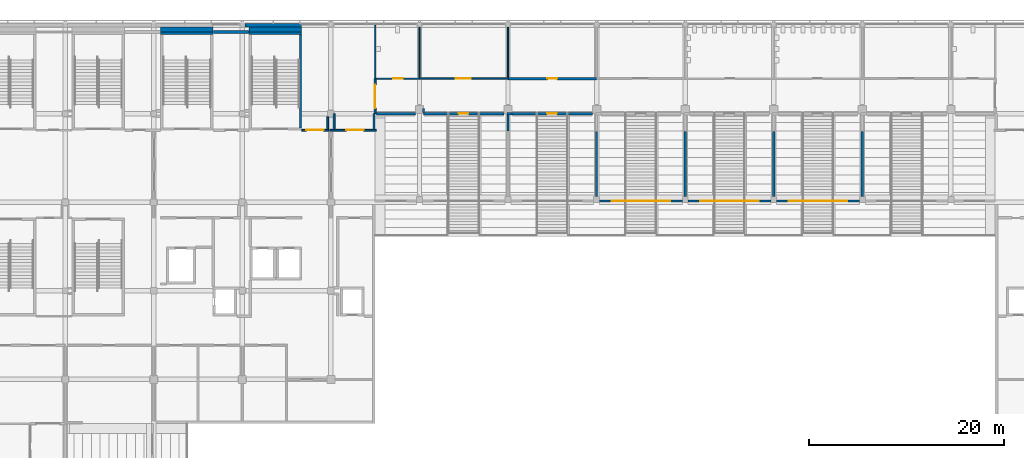
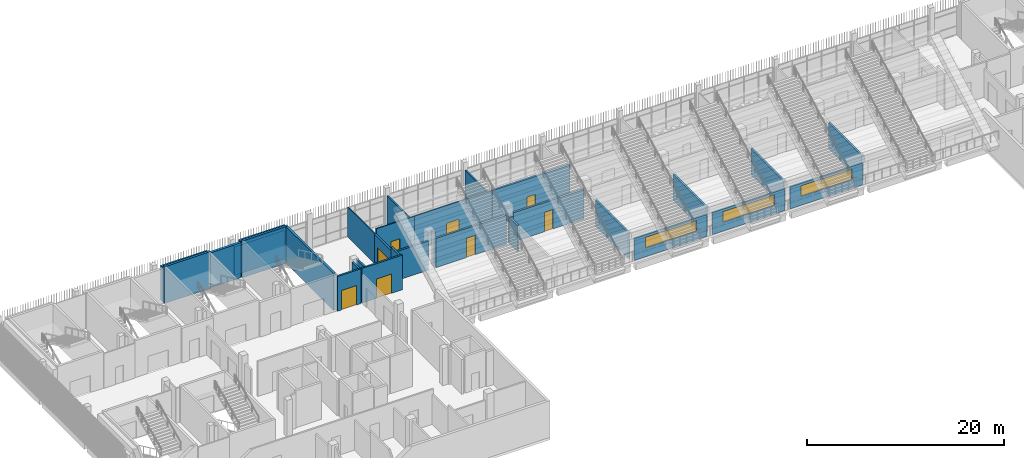
# One storey, part 85 of 139: 32 walls, 8 doors, 3 windows, 11 openings.
"""IFC4 building model written with IfcOpenShell, lengths in metres."""

from ifc_helpers import new_model, si_unit, direction, frame, frame_2d, origin, place, context, subcontext, project, spatial, rectangle, extrude, material, layer, layer_set, type_object, element, fill, save


model = new_model("IFC4")

# Units and contexts
model_context = context("Model", 3, precision=1e-05, world=origin(), true_north=direction((0.0, 1.0)))
body_context = subcontext(model_context, "Body", "Model", "MODEL_VIEW")
ifc_project = project(units=[si_unit("LENGTHUNIT", "METRE"), si_unit("AREAUNIT", "SQUARE_METRE"), si_unit("VOLUMEUNIT", "CUBIC_METRE"), si_unit("PLANEANGLEUNIT", "RADIAN"), si_unit("MASSUNIT", "GRAM", prefix="KILO")], contexts=[model_context])

# Site, building, storey
site_placement = place(None, origin())
site = spatial("IfcSite", under=ifc_project, at=site_placement, CompositionType="ELEMENT")
building_placement = place(site_placement, origin())
building = spatial("IfcBuilding", under=site, at=building_placement, Name="Shirokan Park Arena", CompositionType="ELEMENT")
storey_placement = place(building_placement, frame((0.0, 0.0, 15.469970703125)))
storey = spatial("IfcBuildingStorey", under=building, at=storey_placement, Name="L03", CompositionType="ELEMENT", Elevation=15.469970703125)

# Wall, opening, window
ifc_material_1 = material(Name="Cedar timber lining", Category="wood")
ifc_layer_1 = layer(ifc_material_1, 0.02001953125, Name="Cedar timber lining")
ifc_material_2 = material(Name="Plywood", Category="wood")
ifc_layer_2 = layer(ifc_material_2, 0.01806640625, Name="Plywood")
ifc_material_3 = material(Name="Mineral wool insulation")
ifc_layer_3 = layer(ifc_material_3, 0.14208984375, Name="Mineral wool insulation")
ifc_material_4 = material(Name="Gypsum board")
ifc_layer_4 = layer(ifc_material_4, 0.02001953125, Name="Gypsum board")
ifc_layer_set_1 = layer_set([ifc_layer_1, ifc_layer_2, ifc_layer_3, ifc_layer_4], Name="Cedar timber lining + Plywood + Mineral wool insulation + Gypsum board")
wall_type_1 = type_object("IfcWallType", Name="Bowl front wall 200", PredefinedType="PARTITIONING", material=ifc_layer_set_1)
wall_1_placement = place(storey_placement, frame((72.5, 91.1298828125, 0.0), z_axis=(0.0, 0.0, 1.0), x_axis=(-1.0, 0.0, 0.0)))
wall_1 = element("IfcWall", 1, at=wall_1_placement, inside=storey, type_object=wall_type_1, Name="Bowl front wall 200 L03", PredefinedType="PARTITIONING", context=body_context, shape_type="SweptSolid", body=[
    extrude(rectangle(XDim=8.5, YDim=0.199951171875, at=frame_2d((4.25, 0.0))), origin(), (0.0, 0.0, 1.0), 2.7099609375),
])
opening_1_placement = place(wall_1_placement, frame((1.25, 0.0, 1.10009765625)))
opening_1 = element("IfcOpeningElement", 2, at=opening_1_placement, cuts=wall_1, Name="Opening W8", PredefinedType="OPENING", context=body_context, shape_type="SweptSolid", body=[
    extrude(rectangle(XDim=6.0, YDim=1.300048828125, at=frame_2d((3.0, 0.64990234375))), frame((0.0, 0.10986328125, 0.0), z_axis=(0.0, -1.0, 0.0), x_axis=(1.0, 0.0, 0.0)), (0.0, 0.0, 1.0), 0.219970703125),
])
ifc_material_5 = material(Name="Aluminium frame with laminated glass", Category="aluminium")
window_type = type_object("IfcWindowType", Name="Suite viewing window 6000 x 1300", PartitioningType="SINGLE_PANEL", PredefinedType="WINDOW", material=ifc_material_5)
window_1_placement = place(opening_1_placement, origin())
window_1 = element("IfcWindow", 3, at=window_1_placement, inside=storey, type_object=window_type, Name="Suite viewing window 6000 x 1300 L03", OverallHeight=1.300048828125, OverallWidth=6.0, PartitioningType="SINGLE_PANEL", PredefinedType="WINDOW", context=body_context, shape_type="SweptSolid", body=[
    extrude(rectangle(XDim=6.0, YDim=1.300048828125, at=frame_2d((3.0, 0.64990234375))), frame((0.0, 0.030029296875, 0.0), z_axis=(0.0, -1.0, 0.0), x_axis=(1.0, 0.0, 0.0)), (0.0, 0.0, 1.0), 0.06005859375),
])
fill(opening_1, window_1)

wall_2_placement = place(storey_placement, frame((81.60009765625, 91.1298828125, 0.0), z_axis=(0.0, 0.0, 1.0), x_axis=(-1.0, 0.0, 0.0)))
wall_2 = element("IfcWall", 4, at=wall_2_placement, inside=storey, type_object=wall_type_1, Name="Bowl front wall 200 L03", PredefinedType="PARTITIONING", context=body_context, shape_type="SweptSolid", body=[
    extrude(rectangle(XDim=8.5, YDim=0.199951171875, at=frame_2d((4.25, 0.0))), origin(), (0.0, 0.0, 1.0), 2.7099609375),
])
opening_2_placement = place(wall_2_placement, frame((1.25, 0.0, 1.10009765625)))
opening_2 = element("IfcOpeningElement", 5, at=opening_2_placement, cuts=wall_2, Name="Opening W8", PredefinedType="OPENING", context=body_context, shape_type="SweptSolid", body=[
    extrude(rectangle(XDim=6.0, YDim=1.300048828125, at=frame_2d((3.0, 0.64990234375))), frame((0.0, 0.10986328125, 0.0), z_axis=(0.0, -1.0, 0.0), x_axis=(1.0, 0.0, 0.0)), (0.0, 0.0, 1.0), 0.219970703125),
])
window_2_placement = place(opening_2_placement, origin())
window_2 = element("IfcWindow", 6, at=window_2_placement, inside=storey, type_object=window_type, Name="Suite viewing window 6000 x 1300 L03", OverallHeight=1.300048828125, OverallWidth=6.0, PartitioningType="SINGLE_PANEL", PredefinedType="WINDOW", context=body_context, shape_type="SweptSolid", body=[
    extrude(rectangle(XDim=6.0, YDim=1.300048828125, at=frame_2d((3.0, 0.64990234375))), frame((0.0, 0.030029296875, 0.0), z_axis=(0.0, -1.0, 0.0), x_axis=(1.0, 0.0, 0.0)), (0.0, 0.0, 1.0), 0.06005859375),
])
fill(opening_2, window_2)

wall_3_placement = place(storey_placement, frame((90.699951171875, 91.1298828125, 0.0), z_axis=(0.0, 0.0, 1.0), x_axis=(-1.0, 0.0, 0.0)))
wall_3 = element("IfcWall", 7, at=wall_3_placement, inside=storey, type_object=wall_type_1, Name="Bowl front wall 200 L03", PredefinedType="PARTITIONING", context=body_context, shape_type="SweptSolid", body=[
    extrude(rectangle(XDim=8.5, YDim=0.199951171875, at=frame_2d((4.25, 0.0))), origin(), (0.0, 0.0, 1.0), 2.7099609375),
])
opening_3_placement = place(wall_3_placement, frame((1.25, 0.0, 1.10009765625)))
opening_3 = element("IfcOpeningElement", 8, at=opening_3_placement, cuts=wall_3, Name="Opening W8", PredefinedType="OPENING", context=body_context, shape_type="SweptSolid", body=[
    extrude(rectangle(XDim=6.0, YDim=1.300048828125, at=frame_2d((3.0, 0.64990234375))), frame((0.0, 0.10986328125, 0.0), z_axis=(0.0, -1.0, 0.0), x_axis=(1.0, 0.0, 0.0)), (0.0, 0.0, 1.0), 0.219970703125),
])
window_3_placement = place(opening_3_placement, origin())
window_3 = element("IfcWindow", 9, at=window_3_placement, inside=storey, type_object=window_type, Name="Suite viewing window 6000 x 1300 L03", OverallHeight=1.300048828125, OverallWidth=6.0, PartitioningType="SINGLE_PANEL", PredefinedType="WINDOW", context=body_context, shape_type="SweptSolid", body=[
    extrude(rectangle(XDim=6.0, YDim=1.300048828125, at=frame_2d((3.0, 0.64990234375))), frame((0.0, 0.030029296875, 0.0), z_axis=(0.0, -1.0, 0.0), x_axis=(1.0, 0.0, 0.0)), (0.0, 0.0, 1.0), 0.06005859375),
])
fill(opening_3, window_3)

# Wall, opening, door
ifc_material_6 = material(Name="Plaster")
ifc_layer_5 = layer(ifc_material_6, 0.014892578125, Name="Plaster")
ifc_material_7 = material(Name="Concrete blockwork", Category="masonry")
ifc_layer_6 = layer(ifc_material_7, 0.219970703125, Name="Concrete blockwork 220")
ifc_layer_7 = layer(ifc_material_6, 0.014892578125, Name="Plaster")
ifc_layer_set_2 = layer_set([ifc_layer_5, ifc_layer_6, ifc_layer_7], Name="Plaster + Concrete blockwork 220")
wall_type_2 = type_object("IfcWallType", Name="Compartment wall 250", PredefinedType="SOLIDWALL", material=ifc_layer_set_2)
wall_4_placement = place(storey_placement, frame((54.60009765625, 103.699951171875, 0.0), z_axis=(0.0, 0.0, 1.0), x_axis=(1.0, 0.0, 0.0)))
wall_4 = element("IfcWall", 10, at=wall_4_placement, inside=storey, type_object=wall_type_2, Name="Compartment wall 250 L03", PredefinedType="SOLIDWALL", context=body_context, shape_type="SweptSolid", body=[
    extrude(rectangle(XDim=9.099853515625, YDim=0.25, at=frame_2d((4.5498046875, 0.0))), origin(), (0.0, 0.0, 1.0), 4.300048828125),
])
opening_4_placement = place(wall_4_placement, frame((4.050048828125, 0.0, 0.0)))
opening_4 = element("IfcOpeningElement", 11, at=opening_4_placement, cuts=wall_4, Name="Opening D-3049", PredefinedType="OPENING", context=body_context, shape_type="SweptSolid", body=[
    extrude(rectangle(XDim=1.0, YDim=2.10009765625, at=frame_2d((0.5, 1.050048828125))), frame((0.0, 0.135009765625, 0.0), z_axis=(0.0, -1.0, 0.0), x_axis=(1.0, 0.0, 0.0)), (0.0, 0.0, 1.0), 0.27001953125),
])
ifc_material_8 = material(Name="Timber door set, fire resisting", Category="wood")
door_type_1 = type_object("IfcDoorType", Name="Door 1000 x 2100", OperationType="SINGLE_SWING_LEFT", PredefinedType="DOOR", material=ifc_material_8)
door_1_placement = place(opening_4_placement, origin())
door_1 = element("IfcDoor", 12, at=door_1_placement, inside=storey, type_object=door_type_1, Name="Door to Hospitality Store 3.33 D-3049", OperationType="SINGLE_SWING_RIGHT", OverallHeight=2.10009765625, OverallWidth=1.0, PredefinedType="DOOR", context=body_context, shape_type="SweptSolid", body=[
    extrude(rectangle(XDim=1.0, YDim=2.10009765625, at=frame_2d((0.5, 1.050048828125))), frame((0.0, 0.02490234375, 0.0), z_axis=(0.0, -1.0, 0.0), x_axis=(1.0, 0.0, 0.0)), (0.0, 0.0, 1.0), 0.050048828125),
])
fill(opening_4, door_1)

ifc_layer_8 = layer(ifc_material_4, 0.02490234375, Name="Gypsum board, two layers")
ifc_layer_9 = layer(ifc_material_3, 0.14990234375, Name="Mineral wool insulation")
ifc_layer_10 = layer(ifc_material_4, 0.02490234375, Name="Gypsum board, two layers")
ifc_layer_set_3 = layer_set([ifc_layer_8, ifc_layer_9, ifc_layer_10], Name="Gypsum board, two layers + Mineral wool insulation")
wall_type_3 = type_object("IfcWallType", Name="Corridor wall 200", PredefinedType="PARTITIONING", material=ifc_layer_set_3)
wall_5_placement = place(storey_placement, frame((33.429931640625, 98.39990234375, 0.0), z_axis=(0.0, 0.0, 1.0), x_axis=(1.0, 0.0, 0.0)))
wall_5 = element("IfcWall", 13, at=wall_5_placement, inside=storey, type_object=wall_type_3, Name="Corridor wall 200 L03", PredefinedType="PARTITIONING", context=body_context, shape_type="SweptSolid", body=[
    extrude(rectangle(XDim=2.7451171875, YDim=0.199951171875, at=frame_2d((1.37255859375, 0.0))), origin(), (0.0, 0.0, 1.0), 4.300048828125),
])
opening_5_placement = place(wall_5_placement, frame((0.449951171875, 0.0, 0.0)))
opening_5 = element("IfcOpeningElement", 14, at=opening_5_placement, cuts=wall_5, Name="Opening D-3134", PredefinedType="OPENING", context=body_context, shape_type="SweptSolid", body=[
    extrude(rectangle(XDim=1.800048828125, YDim=2.39990234375, at=frame_2d((0.89990234375, 1.199951171875))), frame((0.0, 0.10986328125, 0.0), z_axis=(0.0, -1.0, 0.0), x_axis=(1.0, 0.0, 0.0)), (0.0, 0.0, 1.0), 0.219970703125),
])
ifc_material_9 = material(Name="Glazed steel door set, fire resisting", Category="steel")
door_type_2 = type_object("IfcDoorType", Name="Lift lobby door 1800 x 2400", OperationType="DOUBLE_DOOR_SINGLE_SWING", PredefinedType="DOOR", material=ifc_material_9)
door_2_placement = place(opening_5_placement, origin())
door_2 = element("IfcDoor", 15, at=door_2_placement, inside=storey, type_object=door_type_2, Name="Door between Stair Lobby 4.3.2 and Ring Link 4.3 D-3134", OperationType="DOUBLE_DOOR_SINGLE_SWING", OverallHeight=2.39990234375, OverallWidth=1.800048828125, PredefinedType="DOOR", context=body_context, shape_type="SweptSolid", body=[
    extrude(rectangle(XDim=1.800048828125, YDim=2.39990234375, at=frame_2d((0.89990234375, 1.199951171875))), frame((0.0, 0.02490234375, 0.0), z_axis=(0.0, -1.0, 0.0), x_axis=(1.0, 0.0, 0.0)), (0.0, 0.0, 1.0), 0.050048828125),
])
fill(opening_5, door_2)

# Wall
wall_6_placement = place(storey_placement, frame((36.074951171875, 98.5, 0.0), z_axis=(0.0, 0.0, 1.0), x_axis=(0.0, 1.0, 0.0)))
element("IfcWall", 16, at=wall_6_placement, inside=storey, type_object=wall_type_3, Name="Corridor wall 200 L03", PredefinedType="PARTITIONING", context=body_context, shape_type="SweptSolid", body=[
    extrude(rectangle(XDim=1.27490234375, YDim=0.199951171875, at=frame_2d((0.637451171875, 0.0))), origin(), (0.0, 0.0, 1.0), 4.300048828125),
])

# Wall, opening, door
wall_7_placement = place(storey_placement, frame((36.300048828125, 98.39990234375, 0.0), z_axis=(0.0, 0.0, 1.0), x_axis=(1.0, 0.0, 0.0)))
wall_7 = element("IfcWall", 17, at=wall_7_placement, inside=storey, type_object=wall_type_3, Name="Corridor wall 200 L03", PredefinedType="PARTITIONING", context=body_context, shape_type="SweptSolid", body=[
    extrude(rectangle(XDim=4.762451171875, YDim=0.199951171875, at=frame_2d((2.38134765625, 0.0))), origin(), (0.0, 0.0, 1.0), 4.300048828125),
])
opening_6_placement = place(wall_7_placement, frame((1.675048828125, 0.0, 0.0)))
opening_6 = element("IfcOpeningElement", 18, at=opening_6_placement, cuts=wall_7, Name="Opening D-3135", PredefinedType="OPENING", context=body_context, shape_type="SweptSolid", body=[
    extrude(rectangle(XDim=1.800048828125, YDim=2.39990234375, at=frame_2d((0.89990234375, 1.199951171875))), frame((0.0, 0.10986328125, 0.0), z_axis=(0.0, -1.0, 0.0), x_axis=(1.0, 0.0, 0.0)), (0.0, 0.0, 1.0), 0.219970703125),
])
door_3_placement = place(opening_6_placement, origin())
door_3 = element("IfcDoor", 19, at=door_3_placement, inside=storey, type_object=door_type_2, Name="Door between Hospitality Foyer 4.3.3 and Ring Link 4.3 D-3135", OperationType="DOUBLE_DOOR_SINGLE_SWING", OverallHeight=2.39990234375, OverallWidth=1.800048828125, PredefinedType="DOOR", context=body_context, shape_type="SweptSolid", body=[
    extrude(rectangle(XDim=1.800048828125, YDim=2.39990234375, at=frame_2d((0.89990234375, 1.199951171875))), frame((0.0, 0.02490234375, 0.0), z_axis=(0.0, -1.0, 0.0), x_axis=(1.0, 0.0, 0.0)), (0.0, 0.0, 1.0), 0.050048828125),
])
fill(opening_6, door_3)

# Wall
wall_8_placement = place(storey_placement, frame((36.72509765625, 98.5, 0.0), z_axis=(0.0, 0.0, 1.0), x_axis=(0.0, 1.0, 0.0)))
element("IfcWall", 20, at=wall_8_placement, inside=storey, type_object=wall_type_3, Name="Corridor wall 200 L03", PredefinedType="PARTITIONING", context=body_context, shape_type="SweptSolid", body=[
    extrude(rectangle(XDim=1.60009765625, YDim=0.199951171875, at=frame_2d((0.800048828125, 0.0))), origin(), (0.0, 0.0, 1.0), 4.300048828125),
])

# Wall, opening, door
wall_9_placement = place(storey_placement, frame((40.949951171875, 103.699951171875, 0.0), z_axis=(0.0, 0.0, 1.0), x_axis=(0.0, -1.0, 0.0)))
wall_9 = element("IfcWall", 21, at=wall_9_placement, inside=storey, type_object=wall_type_3, Name="Corridor wall 200 L03", PredefinedType="PARTITIONING", context=body_context, shape_type="SweptSolid", body=[
    extrude(rectangle(XDim=3.599853515625, YDim=0.199951171875, at=frame_2d((1.7998046875, 0.0))), origin(), (0.0, 0.0, 1.0), 3.699951171875),
])
opening_7_placement = place(wall_9_placement, frame((0.64990234375, 0.0, 0.0)))
opening_7 = element("IfcOpeningElement", 22, at=opening_7_placement, cuts=wall_9, Name="Opening D-3137", PredefinedType="OPENING", context=body_context, shape_type="SweptSolid", body=[
    extrude(rectangle(XDim=2.39990234375, YDim=2.39990234375, at=frame_2d((1.199951171875, 1.199951171875))), frame((0.0, 0.10986328125, 0.0), z_axis=(0.0, -1.0, 0.0), x_axis=(1.0, 0.0, 0.0)), (0.0, 0.0, 1.0), 0.219970703125),
])
ifc_material_10 = material(Name="Steel door set, fire resisting", Category="steel")
door_type_3 = type_object("IfcDoorType", Name="Double door 2400 x 2400", OperationType="DOUBLE_DOOR_SINGLE_SWING", PredefinedType="DOOR", material=ifc_material_10)
door_4_placement = place(opening_7_placement, origin())
door_4 = element("IfcDoor", 23, at=door_4_placement, inside=storey, type_object=door_type_3, Name="Door between Ring Link 4.3 and Suite Corridor 3.03 D-3137", OperationType="DOUBLE_DOOR_SINGLE_SWING", OverallHeight=2.39990234375, OverallWidth=2.39990234375, PredefinedType="DOOR", context=body_context, shape_type="SweptSolid", body=[
    extrude(rectangle(XDim=2.39990234375, YDim=2.39990234375, at=frame_2d((1.199951171875, 1.199951171875))), frame((0.0, 0.02490234375, 0.0), z_axis=(0.0, -1.0, 0.0), x_axis=(1.0, 0.0, 0.0)), (0.0, 0.0, 1.0), 0.050048828125),
])
fill(opening_7, door_4)

# Wall
ifc_material_11 = material(Name="Cedar cladding")
ifc_layer_11 = layer(ifc_material_11, 0.030029296875, Name="Cedar cladding")
ifc_layer_12 = layer(ifc_material_3, 0.10009765625, Name="Mineral wool insulation")
ifc_material_12 = material(Name="Concrete C35", Category="concrete")
ifc_layer_13 = layer(ifc_material_12, 0.199951171875, Name="Concrete C35")
ifc_material_13 = material(Name="Gypsum board lining")
ifc_layer_14 = layer(ifc_material_13, 0.02001953125, Name="Gypsum board lining")
ifc_layer_set_4 = layer_set([ifc_layer_11, ifc_layer_12, ifc_layer_13, ifc_layer_14], Name="Cedar cladding + Mineral wool insulation + Concrete C35 + Gypsum board lining")
wall_type_4 = type_object("IfcWallType", Name="Insulated tower wall 350", PredefinedType="SOLIDWALL", material=ifc_layer_set_4)
wall_10_placement = place(storey_placement, frame((33.39990234375, 109.175048828125, 0.0), z_axis=(0.0, 0.0, 1.0), x_axis=(-1.0, 0.0, 0.0)))
element("IfcWall", 24, at=wall_10_placement, inside=storey, type_object=wall_type_4, Name="North facade wall bay 13 L03", PredefinedType="SOLIDWALL", context=body_context, shape_type="SweptSolid", body=[
    extrude(rectangle(XDim=5.849853515625, YDim=0.35009765625, at=frame_2d((2.9248046875, 0.0))), origin(), (0.0, 0.0, 1.0), 3.550048828125),
])

# Wall, opening, door
ifc_material_14 = material(Name="Ceramic tile")
ifc_layer_15 = layer(ifc_material_14, 0.010009765625, Name="Ceramic tile")
ifc_material_15 = material(Name="Render")
ifc_layer_16 = layer(ifc_material_15, 0.010009765625, Name="Render")
ifc_layer_17 = layer(ifc_material_7, 0.10009765625, Name="Concrete blockwork 100")
ifc_layer_18 = layer(ifc_material_15, 0.010009765625, Name="Render")
ifc_layer_19 = layer(ifc_material_14, 0.010009765625, Name="Ceramic tile")
ifc_layer_set_5 = layer_set([ifc_layer_15, ifc_layer_16, ifc_layer_17, ifc_layer_18, ifc_layer_19], Name="Ceramic tile + Render + Concrete blockwork 100")
wall_type_5 = type_object("IfcWallType", Name="Kitchen wall 140", PredefinedType="SOLIDWALL", material=ifc_layer_set_5)
wall_11_placement = place(storey_placement, frame((45.5, 103.699951171875, 0.0), z_axis=(0.0, 0.0, 1.0), x_axis=(1.0, 0.0, 0.0)))
wall_11 = element("IfcWall", 25, at=wall_11_placement, inside=storey, type_object=wall_type_5, Name="Kitchen wall 140 L03", PredefinedType="SOLIDWALL", context=body_context, shape_type="SweptSolid", body=[
    extrude(rectangle(XDim=9.10009765625, YDim=0.139892578125, at=frame_2d((4.550048828125, 0.0))), origin(), (0.0, 0.0, 1.0), 4.300048828125),
])
opening_8_placement = place(wall_11_placement, frame((3.75, 0.0, 0.0)))
opening_8 = element("IfcOpeningElement", 26, at=opening_8_placement, cuts=wall_11, Name="Opening D-3048", PredefinedType="OPENING", context=body_context, shape_type="SweptSolid", body=[
    extrude(rectangle(XDim=1.5, YDim=2.10009765625, at=frame_2d((0.75, 1.050048828125))), frame((0.0, 0.079833984375, 0.0), z_axis=(0.0, -1.0, 0.0), x_axis=(1.0, 0.0, 0.0)), (0.0, 0.0, 1.0), 0.159912109375),
])
ifc_material_16 = material(Name="Stainless steel door set, fire resisting", Category="steel")
door_type_4 = type_object("IfcDoorType", Name="Kitchen door 1500 x 2100", OperationType="DOUBLE_DOOR_SINGLE_SWING", PredefinedType="DOOR", material=ifc_material_16)
door_5_placement = place(opening_8_placement, origin())
door_5 = element("IfcDoor", 27, at=door_5_placement, inside=storey, type_object=door_type_4, Name="Door to Suite Pantry 3.32 D-3048", OperationType="DOUBLE_DOOR_SINGLE_SWING", OverallHeight=2.10009765625, OverallWidth=1.5, PredefinedType="DOOR", context=body_context, shape_type="SweptSolid", body=[
    extrude(rectangle(XDim=1.5, YDim=2.10009765625, at=frame_2d((0.75, 1.050048828125))), frame((0.0, 0.02490234375, 0.0), z_axis=(0.0, -1.0, 0.0), x_axis=(1.0, 0.0, 0.0)), (0.0, 0.0, 1.0), 0.050048828125),
])
fill(opening_8, door_5)

# Walls
wall_12_placement = place(storey_placement, frame((45.5, 109.02490234375, 0.0), z_axis=(0.0, 0.0, 1.0), x_axis=(0.0, -1.0, 0.0)))
element("IfcWall", 28, at=wall_12_placement, inside=storey, type_object=wall_type_5, Name="Kitchen wall 140 L03", PredefinedType="SOLIDWALL", context=body_context, shape_type="SweptSolid", body=[
    extrude(rectangle(XDim=5.2548828125, YDim=0.139892578125, at=frame_2d((2.62744140625, 0.0))), origin(), (0.0, 0.0, 1.0), 3.60009765625),
])
wall_13_placement = place(storey_placement, frame((54.60009765625, 109.0, 0.0), z_axis=(0.0, 0.0, 1.0), x_axis=(0.0, -1.0, 0.0)))
element("IfcWall", 29, at=wall_13_placement, inside=storey, type_object=wall_type_5, Name="Kitchen wall 140 L03", PredefinedType="SOLIDWALL", context=body_context, shape_type="SweptSolid", body=[
    extrude(rectangle(XDim=5.175048828125, YDim=0.139892578125, at=frame_2d((2.58740234375, 0.0))), origin(), (0.0, 0.0, 1.0), 3.60009765625),
])
ifc_layer_20 = layer(ifc_material_6, 0.012451171875, Name="Plaster")
ifc_layer_21 = layer(ifc_material_7, 0.25, Name="Concrete blockwork 250")
ifc_layer_22 = layer(ifc_material_6, 0.012451171875, Name="Plaster")
ifc_layer_set_6 = layer_set([ifc_layer_20, ifc_layer_21, ifc_layer_22], Name="Plaster + Concrete blockwork 250")
wall_type_6 = type_object("IfcWallType", Name="Plant room wall 275", PredefinedType="SOLIDWALL", material=ifc_layer_set_6)
wall_14_placement = place(storey_placement, frame((24.330078125, 108.5, 0.0), z_axis=(0.0, 0.0, 1.0), x_axis=(1.0, 0.0, 0.0)))
element("IfcWall", 30, at=wall_14_placement, inside=storey, type_object=wall_type_6, Name="Plant room wall 275 L03", PredefinedType="SOLIDWALL", context=body_context, shape_type="SweptSolid", body=[
    extrude(rectangle(XDim=3.639892578125, YDim=0.27490234375, at=frame_2d((1.81982421875, 0.0))), origin(), (0.0, 0.0, 1.0), 4.300048828125),
])
ifc_material_17 = material(Name="Concrete C40/50", Category="concrete")
ifc_layer_23 = layer(ifc_material_17, 0.25)
ifc_layer_set_7 = layer_set([ifc_layer_23], Name="Concrete C40/50 250 mm")
wall_type_7 = type_object("IfcWallType", Name="RC shear wall 250", PredefinedType="SHEAR", material=ifc_layer_set_7)
wall_15_placement = place(storey_placement, frame((24.300048828125, 108.375, 0.0), z_axis=(0.0, 0.0, 1.0), x_axis=(-1.0, 0.0, 0.0)))
element("IfcWall", 31, at=wall_15_placement, inside=storey, type_object=wall_type_7, Name="Shaft wall Exit Stair 4.C N L03", PredefinedType="SHEAR", context=body_context, shape_type="SweptSolid", body=[
    extrude(rectangle(XDim=5.400146484375, YDim=0.25, at=frame_2d((2.7001953125, 0.0))), origin(), (0.0, 0.0, 1.0), 4.550048828125),
])
wall_16_placement = place(storey_placement, frame((33.39990234375, 108.375, 0.0), z_axis=(0.0, 0.0, 1.0), x_axis=(-1.0, 0.0, 0.0)))
element("IfcWall", 32, at=wall_16_placement, inside=storey, type_object=wall_type_7, Name="Shaft wall Exit Stair 4.D N L03", PredefinedType="SHEAR", context=body_context, shape_type="SweptSolid", body=[
    extrude(rectangle(XDim=5.39990234375, YDim=0.25, at=frame_2d((2.699951171875, 0.0))), origin(), (0.0, 0.0, 1.0), 4.550048828125),
])
wall_17_placement = place(storey_placement, frame((33.27490234375, 108.25, 0.0), z_axis=(0.0, 0.0, 1.0), x_axis=(0.0, -1.0, 0.0)))
element("IfcWall", 33, at=wall_17_placement, inside=storey, type_object=wall_type_7, Name="Shaft wall Exit Stair 4.D E L03", PredefinedType="SHEAR", context=body_context, shape_type="SweptSolid", body=[
    extrude(rectangle(XDim=9.60009765625, YDim=0.25, at=frame_2d((4.800048828125, 0.0))), origin(), (0.0, 0.0, 1.0), 4.550048828125),
])
ifc_layer_24 = layer(ifc_material_12, 0.5)
ifc_layer_set_8 = layer_set([ifc_layer_24], Name="Concrete C35 500 mm")
wall_type_8 = type_object("IfcWallType", Name="Shaft infill wall 500", PredefinedType="SOLIDWALL", material=ifc_layer_set_8)
wall_18_placement = place(storey_placement, frame((18.89990234375, 108.75, 0.0), z_axis=(0.0, 0.0, 1.0), x_axis=(1.0, 0.0, 0.0)))
element("IfcWall", 34, at=wall_18_placement, inside=storey, type_object=wall_type_8, Name="Shaft infill wall L03", PredefinedType="SOLIDWALL", context=body_context, shape_type="SweptSolid", body=[
    extrude(rectangle(XDim=5.400146484375, YDim=0.5, at=frame_2d((2.7001953125, 0.0))), origin(), (0.0, 0.0, 1.0), 4.300048828125),
])
wall_19_placement = place(storey_placement, frame((28.0, 108.75, 0.0), z_axis=(0.0, 0.0, 1.0), x_axis=(1.0, 0.0, 0.0)))
element("IfcWall", 35, at=wall_19_placement, inside=storey, type_object=wall_type_8, Name="Shaft infill wall L03", PredefinedType="SOLIDWALL", context=body_context, shape_type="SweptSolid", body=[
    extrude(rectangle(XDim=5.39990234375, YDim=0.5, at=frame_2d((2.699951171875, 0.0))), origin(), (0.0, 0.0, 1.0), 4.300048828125),
])
ifc_layer_25 = layer(ifc_material_4, 0.02490234375, Name="Gypsum board, two layers")
ifc_layer_26 = layer(ifc_material_3, 0.074951171875, Name="Mineral wool insulation")
ifc_material_18 = material(Name="Air cavity")
ifc_layer_27 = layer(ifc_material_18, 0.02490234375, Name="Air cavity")
ifc_layer_28 = layer(ifc_material_3, 0.074951171875, Name="Mineral wool insulation")
ifc_layer_29 = layer(ifc_material_4, 0.02490234375, Name="Gypsum board, two layers")
ifc_layer_set_9 = layer_set([ifc_layer_25, ifc_layer_26, ifc_layer_27, ifc_layer_28, ifc_layer_29], Name="Gypsum board, two layers + Mineral wool insulation + Air cavity")
wall_type_9 = type_object("IfcWallType", Name="Suite party wall 225", PredefinedType="PARTITIONING", material=ifc_layer_set_9)
wall_20_placement = place(storey_placement, frame((40.83642578125, 100.10009765625, 0.0), z_axis=(0.0, 0.0, 1.0), x_axis=(0.0, -1.0, 0.0)))
element("IfcWall", 36, at=wall_20_placement, inside=storey, type_object=wall_type_9, Name="Suite party wall 225 L03", PredefinedType="PARTITIONING", context=body_context, shape_type="SweptSolid", body=[
    extrude(rectangle(XDim=1.60009765625, YDim=0.22509765625, at=frame_2d((0.800048828125, 0.0))), origin(), (0.0, 0.0, 1.0), 4.300048828125),
])
wall_21_placement = place(storey_placement, frame((45.074951171875, 100.10009765625, 0.0), z_axis=(0.0, 0.0, 1.0), x_axis=(-1.0, 0.0, 0.0)))
element("IfcWall", 37, at=wall_21_placement, inside=storey, type_object=wall_type_9, Name="Suite party wall 225 L03", PredefinedType="PARTITIONING", context=body_context, shape_type="SweptSolid", body=[
    extrude(rectangle(XDim=4.012451171875, YDim=0.22509765625, at=frame_2d((2.00634765625, 0.0))), origin(), (0.0, 0.0, 1.0), 3.60009765625),
])
wall_22_placement = place(storey_placement, frame((45.925048828125, 100.22509765625, 0.0), z_axis=(0.0, 0.0, 1.0), x_axis=(0.0, 1.0, 0.0)))
element("IfcWall", 38, at=wall_22_placement, inside=storey, type_object=wall_type_9, Name="Suite party wall 225 L03", PredefinedType="PARTITIONING", context=body_context, shape_type="SweptSolid", body=[
    extrude(rectangle(XDim=0.4248046875, YDim=0.22509765625, at=frame_2d((0.21240234375, 0.0))), origin(), (0.0, 0.0, 1.0), 4.300048828125),
])

# Wall, opening, door
wall_23_placement = place(storey_placement, frame((54.175048828125, 100.10009765625, 0.0), z_axis=(0.0, 0.0, 1.0), x_axis=(-1.0, 0.0, 0.0)))
wall_23 = element("IfcWall", 39, at=wall_23_placement, inside=storey, type_object=wall_type_9, Name="Suite party wall 225 L03", PredefinedType="PARTITIONING", context=body_context, shape_type="SweptSolid", body=[
    extrude(rectangle(XDim=8.25, YDim=0.22509765625, at=frame_2d((4.125, 0.0))), origin(), (0.0, 0.0, 1.0), 3.60009765625),
])
opening_9_placement = place(wall_23_placement, frame((3.64990234375, 0.0, 0.0)))
opening_9 = element("IfcOpeningElement", 40, at=opening_9_placement, cuts=wall_23, Name="Opening D-3055", PredefinedType="OPENING", context=body_context, shape_type="SweptSolid", body=[
    extrude(rectangle(XDim=1.0, YDim=2.39990234375, at=frame_2d((0.5, 1.199951171875))), frame((0.0, 0.12255859375, 0.0), z_axis=(0.0, -1.0, 0.0), x_axis=(1.0, 0.0, 0.0)), (0.0, 0.0, 1.0), 0.2451171875),
])
ifc_material_19 = material(Name="Glazed timber door set, fire resisting", Category="wood")
door_type_5 = type_object("IfcDoorType", Name="Suite door 1000 x 2400", OperationType="SINGLE_SWING_LEFT", PredefinedType="DOOR", material=ifc_material_19)
door_6_placement = place(opening_9_placement, origin())
door_6 = element("IfcDoor", 41, at=door_6_placement, inside=storey, type_object=door_type_5, Name="Door to Hospitality Suite 3.31 D-3055", OperationType="SINGLE_SWING_LEFT", OverallHeight=2.39990234375, OverallWidth=1.0, PredefinedType="DOOR", context=body_context, shape_type="SweptSolid", body=[
    extrude(rectangle(XDim=1.0, YDim=2.39990234375, at=frame_2d((0.5, 1.199951171875))), frame((0.0, 0.02490234375, 0.0), z_axis=(0.0, -1.0, 0.0), x_axis=(1.0, 0.0, 0.0)), (0.0, 0.0, 1.0), 0.050048828125),
])
fill(opening_9, door_6)

# Walls
wall_24_placement = place(storey_placement, frame((54.60009765625, 99.987548828125, 0.0), z_axis=(0.0, 0.0, 1.0), x_axis=(0.0, -1.0, 0.0)))
element("IfcWall", 42, at=wall_24_placement, inside=storey, type_object=wall_type_9, Name="Suite party wall 225 L03", PredefinedType="PARTITIONING", context=body_context, shape_type="SweptSolid", body=[
    extrude(rectangle(XDim=1.657470703125, YDim=0.22509765625, at=frame_2d((0.82861328125, 0.0))), origin(), (0.0, 0.0, 1.0), 3.219970703125),
])
wall_25_placement = place(storey_placement, frame((55.02490234375, 100.10009765625, 0.0), z_axis=(0.0, 0.0, 1.0), x_axis=(-1.0, 0.0, 0.0)))
element("IfcWall", 43, at=wall_25_placement, inside=storey, type_object=wall_type_9, Name="Suite party wall 225 L03", PredefinedType="PARTITIONING", context=body_context, shape_type="SweptSolid", body=[
    extrude(rectangle(XDim=0.537353515625, YDim=0.22509765625, at=frame_2d((0.2685546875, 0.0))), origin(), (0.0, 0.0, 1.0), 3.219970703125),
])

# Wall, opening, door
wall_26_placement = place(storey_placement, frame((63.27490234375, 100.10009765625, 0.0), z_axis=(0.0, 0.0, 1.0), x_axis=(-1.0, 0.0, 0.0)))
wall_26 = element("IfcWall", 44, at=wall_26_placement, inside=storey, type_object=wall_type_9, Name="Suite party wall 225 L03", PredefinedType="PARTITIONING", context=body_context, shape_type="SweptSolid", body=[
    extrude(rectangle(XDim=8.25, YDim=0.22509765625, at=frame_2d((4.125, 0.0))), origin(), (0.0, 0.0, 1.0), 3.60009765625),
])
opening_10_placement = place(wall_26_placement, frame((3.64990234375, 0.0, 0.0)))
opening_10 = element("IfcOpeningElement", 45, at=opening_10_placement, cuts=wall_26, Name="Opening D-3056", PredefinedType="OPENING", context=body_context, shape_type="SweptSolid", body=[
    extrude(rectangle(XDim=1.0, YDim=2.39990234375, at=frame_2d((0.5, 1.199951171875))), frame((0.0, 0.12255859375, 0.0), z_axis=(0.0, -1.0, 0.0), x_axis=(1.0, 0.0, 0.0)), (0.0, 0.0, 1.0), 0.2451171875),
])
door_7_placement = place(opening_10_placement, origin())
door_7 = element("IfcDoor", 46, at=door_7_placement, inside=storey, type_object=door_type_5, Name="Door to Hospitality Suite 3.32 D-3056", OperationType="SINGLE_SWING_LEFT", OverallHeight=2.39990234375, OverallWidth=1.0, PredefinedType="DOOR", context=body_context, shape_type="SweptSolid", body=[
    extrude(rectangle(XDim=1.0, YDim=2.39990234375, at=frame_2d((0.5, 1.199951171875))), frame((0.0, 0.02490234375, 0.0), z_axis=(0.0, -1.0, 0.0), x_axis=(1.0, 0.0, 0.0)), (0.0, 0.0, 1.0), 0.050048828125),
])
fill(opening_10, door_7)

# Walls
for number, where, z_axis, x_axis, name in (
    (47, (63.699951171875, 98.27001953125, 0.0), (0.0, 0.0, 1.0), (0.0, -1.0, 0.0), "Suite party wall 225 L03"),
    (48, (72.800048828125, 98.27001953125, 0.0), (0.0, 0.0, 1.0), (0.0, -1.0, 0.0), "Suite party wall 225 L03"),
    (49, (81.89990234375, 98.27001953125, 0.0), (0.0, 0.0, 1.0), (0.0, -1.0, 0.0), "Suite party wall 225 L03"),
    (50, (91.0, 98.27001953125, 0.0), (0.0, 0.0, 1.0), (0.0, -1.0, 0.0), "Suite party wall 225 L03"),
):
    element("IfcWall", number, at=place(storey_placement, frame(where, z_axis=z_axis, x_axis=x_axis)), inside=storey, type_object=wall_type_9, Name=name, PredefinedType="PARTITIONING", context=body_context, shape_type="SweptSolid", body=[
        extrude(rectangle(XDim=6.669921875, YDim=0.22509765625, at=frame_2d((3.3349609375, 0.0))), origin(), (0.0, 0.0, 1.0), 3.219970703125),
    ])
ifc_layer_30 = layer(ifc_material_14, 0.010009765625, Name="Ceramic tile")
ifc_material_20 = material(Name="Cement board")
ifc_layer_31 = layer(ifc_material_20, 0.012451171875, Name="Cement board")
ifc_layer_32 = layer(ifc_material_3, 0.080078125, Name="Mineral wool insulation")
ifc_layer_33 = layer(ifc_material_20, 0.012451171875, Name="Cement board")
ifc_layer_34 = layer(ifc_material_14, 0.010009765625, Name="Ceramic tile")
ifc_layer_set_10 = layer_set([ifc_layer_30, ifc_layer_31, ifc_layer_32, ifc_layer_33, ifc_layer_34], Name="Ceramic tile + Cement board + Mineral wool insulation")
wall_type_10 = type_object("IfcWallType", Name="Wet-area wall 125", PredefinedType="PARTITIONING", material=ifc_layer_set_10)
wall_27_placement = place(storey_placement, frame((40.949951171875, 103.699951171875, 0.0), z_axis=(0.0, 0.0, 1.0), x_axis=(0.0, 1.0, 0.0)))
element("IfcWall", 51, at=wall_27_placement, inside=storey, type_object=wall_type_10, Name="Wet-area wall 125 L03", PredefinedType="PARTITIONING", context=body_context, shape_type="SweptSolid", body=[
    extrude(rectangle(XDim=5.469970703125, YDim=0.125, at=frame_2d((2.73486328125, 0.0))), origin(), (0.0, 0.0, 1.0), 3.699951171875),
])

# Wall, opening, door
wall_28_placement = place(storey_placement, frame((41.050048828125, 103.699951171875, 0.0), z_axis=(0.0, 0.0, 1.0), x_axis=(1.0, 0.0, 0.0)))
wall_28 = element("IfcWall", 52, at=wall_28_placement, inside=storey, type_object=wall_type_10, Name="Wet-area wall 125 L03", PredefinedType="PARTITIONING", context=body_context, shape_type="SweptSolid", body=[
    extrude(rectangle(XDim=4.449951171875, YDim=0.125, at=frame_2d((2.22509765625, 0.0))), origin(), (0.0, 0.0, 1.0), 4.300048828125),
])
opening_11_placement = place(wall_28_placement, frame((1.75, 0.0, 0.0)))
opening_11 = element("IfcOpeningElement", 53, at=opening_11_placement, cuts=wall_28, Name="Opening D-3047", PredefinedType="OPENING", context=body_context, shape_type="SweptSolid", body=[
    extrude(rectangle(XDim=1.0, YDim=2.10009765625, at=frame_2d((0.5, 1.050048828125))), frame((0.0, 0.072509765625, 0.0), z_axis=(0.0, -1.0, 0.0), x_axis=(1.0, 0.0, 0.0)), (0.0, 0.0, 1.0), 0.14501953125),
])
door_type_6 = type_object("IfcDoorType", Name="Accessible WC door 1000 x 2100", OperationType="SINGLE_SWING_RIGHT", PredefinedType="DOOR", material=ifc_material_8)
door_8_placement = place(opening_11_placement, origin())
door_8 = element("IfcDoor", 54, at=door_8_placement, inside=storey, type_object=door_type_6, Name="Door to Accessible WC 3.31 D-3047", OperationType="SINGLE_SWING_LEFT", OverallHeight=2.10009765625, OverallWidth=1.0, PredefinedType="DOOR", context=body_context, shape_type="SweptSolid", body=[
    extrude(rectangle(XDim=1.0, YDim=2.10009765625, at=frame_2d((0.5, 1.050048828125))), frame((0.0, 0.02490234375, 0.0), z_axis=(0.0, -1.0, 0.0), x_axis=(1.0, 0.0, 0.0)), (0.0, 0.0, 1.0), 0.050048828125),
])
fill(opening_11, door_8)

save(model, "model.ifc")
